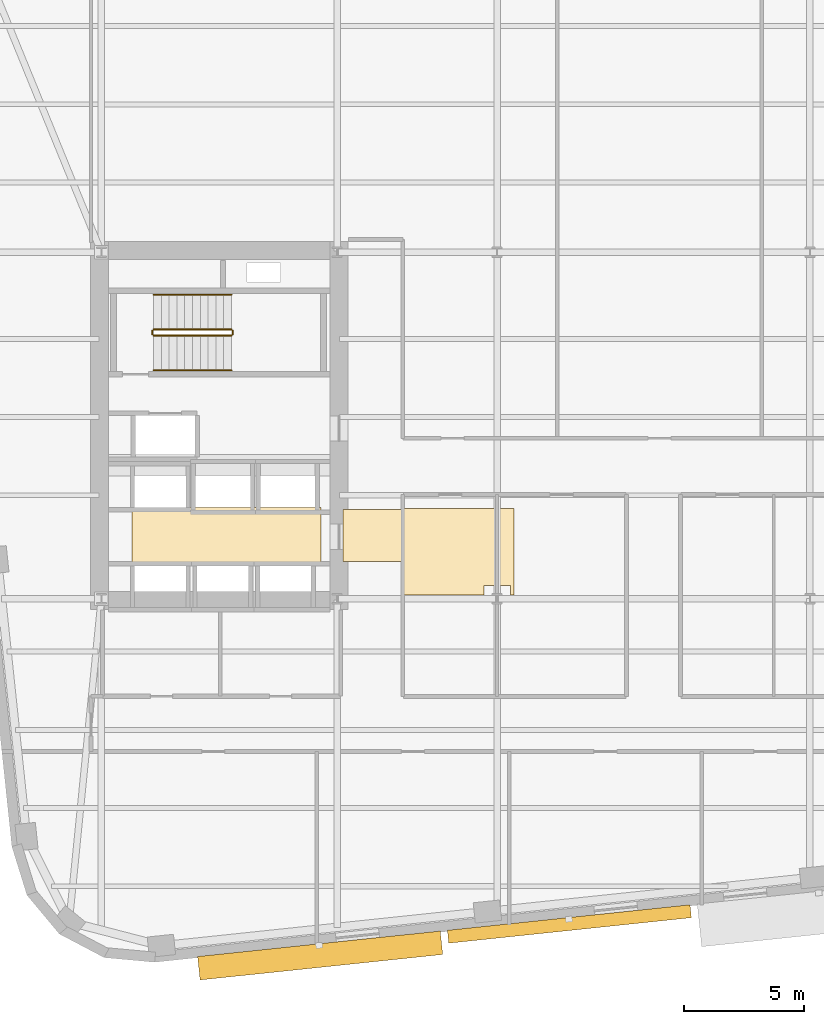
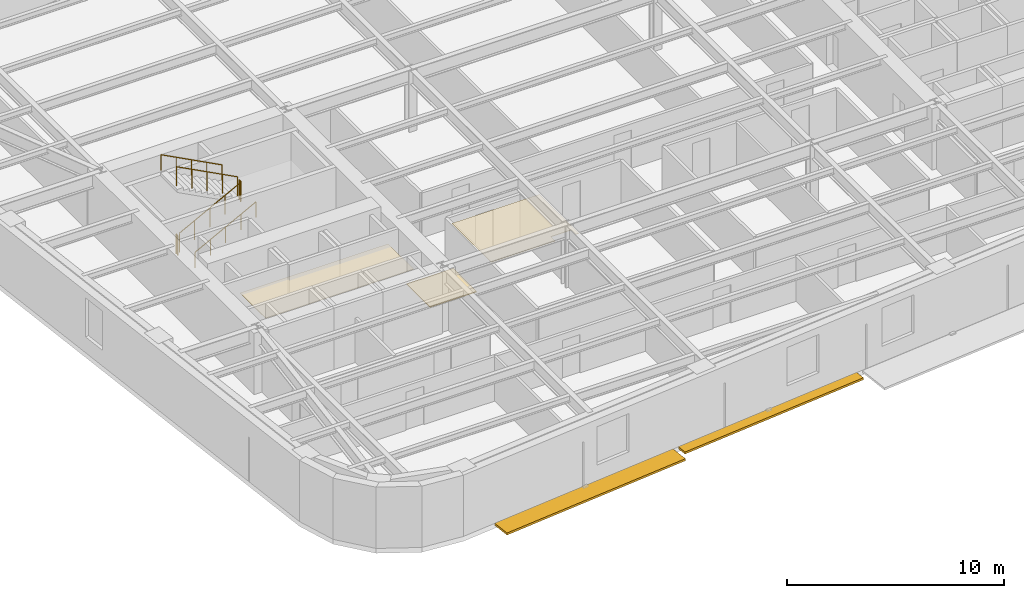
# One storey, part 8 of 11: 6 railings, 3 coverings, 2 shading devices.
"""IFC4 building model written with IfcOpenShell, lengths in metres."""

from ifc_helpers import new_model, si_unit, direction, frame, origin, origin_2d, place, context, subcontext, project, spatial, polyline, rectangle, circle, outline, extrude, material, layer, layer_set, type_object, element, save


model = new_model("IFC4")

# Units and contexts
model_context = context("Model", 3, precision=1e-05, world=origin(), true_north=direction((0.0, 1.0)))
body_context = subcontext(model_context, "Body", "Model", "MODEL_VIEW")
ifc_project = project(units=[si_unit("LENGTHUNIT", "METRE"), si_unit("AREAUNIT", "SQUARE_METRE"), si_unit("VOLUMEUNIT", "CUBIC_METRE"), si_unit("PLANEANGLEUNIT", "RADIAN"), si_unit("MASSUNIT", "GRAM", prefix="KILO")], contexts=[model_context])

# Site, building, storey
site_placement = place(None, origin())
site = spatial("IfcSite", under=ifc_project, at=site_placement, CompositionType="ELEMENT")
building_placement = place(site_placement, origin())
building = spatial("IfcBuilding", under=site, at=building_placement, Name="Kolvaren Arena Tower", CompositionType="ELEMENT")
storey_placement = place(building_placement, frame((0.0, 0.0, 122.199951171875)))
storey = spatial("IfcBuildingStorey", under=building, at=storey_placement, Name="L28", CompositionType="ELEMENT", Elevation=122.199951171875)

# Coverings
ifc_material_1 = material(Name="Mineral fibre acoustic ceiling tile", Category="gypsum")
ifc_layer_1 = layer(ifc_material_1, 0.02490234375)
ifc_layer_set_1 = layer_set([ifc_layer_1], Name="Mineral fibre acoustic ceiling tile")
covering_type_1 = type_object("IfcCoveringType", Name="CEIL-ACT-1", PredefinedType="CEILING", material=ifc_layer_set_1)
covering_1_placement = place(storey_placement, frame((0.0, 0.0, 2.52001953125)))
element("IfcCovering", 1, at=covering_1_placement, inside=storey, type_object=covering_type_1, Name="Suspended Ceiling (L28)", PredefinedType="CEILING", context=body_context, shape_type="SweptSolid", body=[
    extrude(outline(polyline([(27.050048828125, 19.60009765625), (27.050048828125, 23.199951171875), (31.699951171875, 23.199951171875), (31.699951171875, 19.60009765625), (31.550048828125, 19.60009765625), (31.550048828125, 20.0), (30.449951171875, 20.0), (30.449951171875, 19.60009765625), (27.050048828125, 19.60009765625)])), origin(), (0.0, 0.0, 1.0), 0.025146484375),
])
ifc_material_2 = material(Name="Moisture-resistant gypsum ceiling", Category="gypsum")
ifc_layer_2 = layer(ifc_material_2, 0.030029296875)
ifc_layer_set_2 = layer_set([ifc_layer_2], Name="Moisture-resistant gypsum ceiling")
covering_type_2 = type_object("IfcCoveringType", Name="CEIL-GYP-1", PredefinedType="CEILING", material=ifc_layer_set_2)
covering_2_placement = place(storey_placement, frame((0.0, 0.0, 2.52001953125)))
element("IfcCovering", 2, at=covering_2_placement, inside=storey, type_object=covering_type_2, Name="Suspended Ceiling (L28)", PredefinedType="CEILING", context=body_context, shape_type="SweptSolid", body=[
    extrude(outline(polyline([(15.820068359375, 20.89990234375), (15.820068359375, 23.239990234375), (23.679931640625, 23.239990234375), (23.679931640625, 20.89990234375), (15.820068359375, 20.89990234375)])), origin(), (0.0, 0.0, 1.0), 0.030029296875),
])
ifc_material_3 = material(Name="Raised access office floor finish", Category="aluminium")
ifc_layer_3 = layer(ifc_material_3, 0.044921875)
ifc_layer_set_3 = layer_set([ifc_layer_3], Name="Raised access office floor finish")
covering_type_3 = type_object("IfcCoveringType", Name="FLOR-RAF-1", PredefinedType="FLOORING", material=ifc_layer_set_3)
covering_3_placement = place(storey_placement, origin())
element("IfcCovering", 3, at=covering_3_placement, inside=storey, type_object=covering_type_3, Name="Floor Finish (L28)", PredefinedType="FLOORING", context=body_context, shape_type="SweptSolid", body=[
    extrude(outline(polyline([(24.60009765625, 21.0), (24.60009765625, 23.14990234375), (27.080078125, 23.14990234375), (27.080078125, 21.0), (24.60009765625, 21.0)])), origin(), (0.0, 0.0, 1.0), 0.045166015625),
])

# Railings
ifc_material_4 = material(Name="Painted galvanized steel", Category="steel")
railing_type_1 = type_object("IfcRailingType", Name="GUARD-ST-110", PredefinedType="GUARDRAIL", material=ifc_material_4)
railing_1_placement = place(storey_placement, frame((16.719970703125, 30.389892578125, 0.17041015625)))
element("IfcRailing", 4, at=railing_1_placement, inside=storey, type_object=railing_type_1, Name="L28 ST-W1 stair guard 1", PredefinedType="GUARDRAIL", context=body_context, shape_type="SweptSolid", body=[
    extrude(circle(Radius=0.02392578125, at=origin_2d()), frame((0.0, 0.0, 1.076171875), z_axis=(0.884993431791, 0.0, 0.465603506952), x_axis=(0.0, 1.0, 0.0)), (0.0, 0.0, 1.0), 3.6611328125),
    extrude(circle(Radius=0.02099609375, at=origin_2d()), origin(), (0.0, 0.0, 1.0), 1.052001953125),
    extrude(circle(Radius=0.02099609375, at=origin_2d()), frame((0.81005859375, 0.0, 0.42626953125)), (0.0, 0.0, 1.0), 1.052001953125),
    extrude(circle(Radius=0.02099609375, at=origin_2d()), frame((1.6201171875, 0.0, 0.852294921875)), (0.0, 0.0, 1.0), 1.052001953125),
    extrude(circle(Radius=0.02099609375, at=origin_2d()), frame((2.429931640625, 0.0, 1.2783203125)), (0.0, 0.0, 1.0), 1.052001953125),
    extrude(circle(Radius=0.02099609375, at=origin_2d()), frame((3.239990234375, 0.0, 1.70458984375)), (0.0, 0.0, 1.0), 1.052001953125),
])
railing_2_placement = place(storey_placement, frame((20.010009765625, 30.43994140625, 1.875)))
element("IfcRailing", 5, at=railing_2_placement, inside=storey, type_object=railing_type_1, Name="L28 ST-W1 stair guard 2", PredefinedType="GUARDRAIL", context=body_context, shape_type="SweptSolid", body=[
    extrude(circle(Radius=0.02392578125, at=origin_2d()), frame((0.0, 0.0, 1.076171875), z_axis=(0.0, 1.0, 0.0), x_axis=(-1.0, 0.0, 0.0)), (0.0, 0.0, 1.0), 0.150146484375),
    extrude(circle(Radius=0.02099609375, at=origin_2d()), origin(), (0.0, 0.0, 1.0), 1.052001953125),
    extrude(circle(Radius=0.02099609375, at=origin_2d()), frame((0.0, 0.150146484375, 0.0)), (0.0, 0.0, 1.0), 1.052001953125),
])
railing_3_placement = place(storey_placement, frame((19.9599609375, 30.639892578125, 2.04541015625)))
element("IfcRailing", 6, at=railing_3_placement, inside=storey, type_object=railing_type_1, Name="L28 ST-W1 stair guard 3", PredefinedType="GUARDRAIL", context=body_context, shape_type="SweptSolid", body=[
    extrude(circle(Radius=0.02392578125, at=origin_2d()), frame((0.0, 0.0, 1.076171875), z_axis=(-0.884993431791, 0.0, 0.465603506952), x_axis=(0.0, -1.0, 0.0)), (0.0, 0.0, 1.0), 3.6611328125),
    extrude(circle(Radius=0.02099609375, at=origin_2d()), origin(), (0.0, 0.0, 1.0), 1.052001953125),
    extrude(circle(Radius=0.02099609375, at=origin_2d()), frame((-0.81005859375, 0.0, 0.42626953125)), (0.0, 0.0, 1.0), 1.052001953125),
    extrude(circle(Radius=0.02099609375, at=origin_2d()), frame((-1.6201171875, 0.0, 0.852294921875)), (0.0, 0.0, 1.0), 1.052001953125),
    extrude(circle(Radius=0.02099609375, at=origin_2d()), frame((-2.429931640625, 0.0, 1.2783203125)), (0.0, 0.0, 1.0), 1.052001953125),
    extrude(circle(Radius=0.02099609375, at=origin_2d()), frame((-3.239990234375, 0.0, 1.70458984375)), (0.0, 0.0, 1.0), 1.052001953125),
])
railing_4_placement = place(storey_placement, frame((16.669921875, 30.43994140625, 0.0)))
element("IfcRailing", 7, at=railing_4_placement, inside=storey, type_object=railing_type_1, Name="L28 ST-W1 stair guard 4", PredefinedType="GUARDRAIL", context=body_context, shape_type="SweptSolid", body=[
    extrude(circle(Radius=0.02392578125, at=origin_2d()), frame((0.0, 0.0, 1.076171875), z_axis=(0.0, 1.0, 0.0), x_axis=(-1.0, 0.0, 0.0)), (0.0, 0.0, 1.0), 0.150146484375),
    extrude(circle(Radius=0.02099609375, at=origin_2d()), origin(), (0.0, 0.0, 1.0), 1.052001953125),
    extrude(circle(Radius=0.02099609375, at=origin_2d()), frame((0.0, 0.150146484375, 0.0)), (0.0, 0.0, 1.0), 1.052001953125),
])
ifc_material_5 = material(Name="Brushed stainless steel handrail", Category="steel")
railing_type_2 = type_object("IfcRailingType", Name="HRAIL-900", PredefinedType="HANDRAIL", material=ifc_material_5)
railing_5_placement = place(storey_placement, frame((16.719970703125, 28.949951171875, 0.17041015625)))
element("IfcRailing", 8, at=railing_5_placement, inside=storey, type_object=railing_type_2, Name="L28 ST-W1 stair handrail 1", PredefinedType="HANDRAIL", context=body_context, shape_type="SweptSolid", body=[
    extrude(circle(Radius=0.02392578125, at=origin_2d()), frame((0.0, 0.0, 0.8759765625), z_axis=(0.884993431791, 0.0, 0.465603506952), x_axis=(0.0, 1.0, 0.0)), (0.0, 0.0, 1.0), 3.6611328125),
    extrude(circle(Radius=0.02099609375, at=origin_2d()), origin(), (0.0, 0.0, 1.0), 0.851806640625),
    extrude(circle(Radius=0.02099609375, at=origin_2d()), frame((0.81005859375, 0.0, 0.42626953125)), (0.0, 0.0, 1.0), 0.851806640625),
    extrude(circle(Radius=0.02099609375, at=origin_2d()), frame((1.6201171875, 0.0, 0.852294921875)), (0.0, 0.0, 1.0), 0.851806640625),
    extrude(circle(Radius=0.02099609375, at=origin_2d()), frame((2.429931640625, 0.0, 1.2783203125)), (0.0, 0.0, 1.0), 0.851806640625),
    extrude(circle(Radius=0.02099609375, at=origin_2d()), frame((3.239990234375, 0.0, 1.70458984375)), (0.0, 0.0, 1.0), 0.851806640625),
])
railing_6_placement = place(storey_placement, frame((19.9599609375, 32.080078125, 2.04541015625)))
element("IfcRailing", 9, at=railing_6_placement, inside=storey, type_object=railing_type_2, Name="L28 ST-W1 stair handrail 2", PredefinedType="HANDRAIL", context=body_context, shape_type="SweptSolid", body=[
    extrude(circle(Radius=0.02392578125, at=origin_2d()), frame((0.0, 0.0, 0.8759765625), z_axis=(-0.884993431791, 0.0, 0.465603506952), x_axis=(0.0, -1.0, 0.0)), (0.0, 0.0, 1.0), 3.6611328125),
    extrude(circle(Radius=0.02099609375, at=origin_2d()), origin(), (0.0, 0.0, 1.0), 0.851806640625),
    extrude(circle(Radius=0.02099609375, at=origin_2d()), frame((-0.81005859375, 0.0, 0.42626953125)), (0.0, 0.0, 1.0), 0.851806640625),
    extrude(circle(Radius=0.02099609375, at=origin_2d()), frame((-1.6201171875, 0.0, 0.852294921875)), (0.0, 0.0, 1.0), 0.851806640625),
    extrude(circle(Radius=0.02099609375, at=origin_2d()), frame((-2.429931640625, 0.0, 1.2783203125)), (0.0, 0.0, 1.0), 0.851806640625),
    extrude(circle(Radius=0.02099609375, at=origin_2d()), frame((-3.239990234375, 0.0, 1.70458984375)), (0.0, 0.0, 1.0), 0.851806640625),
])

# Shading devices
ifc_material_6 = material(Name="Architectural precast GFRC and anodised aluminium sunshade", Category="concrete")
shading_device_type = type_object("IfcShadingDeviceType", Name="SHAD-SINE-A", PredefinedType="USERDEFINED", material=ifc_material_6)
shading_device_1_placement = place(storey_placement, frame((34.00390625, 5.931884765625, -0.139892578125), z_axis=(0.0, 0.0, 1.0), x_axis=(-0.994522077803, -0.104526727499, 0.0)))
element("IfcShadingDevice", 10, at=shading_device_1_placement, inside=storey, type_object=shading_device_type, Name="Sinusoidal Slab-Edge Sunshade Louvre (L28)", ObjectType="LOUVRE", PredefinedType="USERDEFINED", context=body_context, shape_type="SweptSolid", body=[
    extrude(rectangle(XDim=10.139892578125, YDim=0.540771484375, at=origin_2d()), origin(), (0.0, 0.0, 1.0), 0.1201171875),
])
shading_device_2_placement = place(storey_placement, frame((23.644287109375, 4.62158203125, -0.139892578125), z_axis=(0.0, 0.0, 1.0), x_axis=(-0.994522077803, -0.104526727499, 0.0)))
element("IfcShadingDevice", 11, at=shading_device_2_placement, inside=storey, type_object=shading_device_type, Name="Sinusoidal Slab-Edge Sunshade Louvre (L28)", ObjectType="LOUVRE", PredefinedType="USERDEFINED", context=body_context, shape_type="SweptSolid", body=[
    extrude(rectangle(XDim=10.139892578125, YDim=0.981201171875, at=origin_2d()), origin(), (0.0, 0.0, 1.0), 0.1201171875),
])

save(model, "model.ifc")
